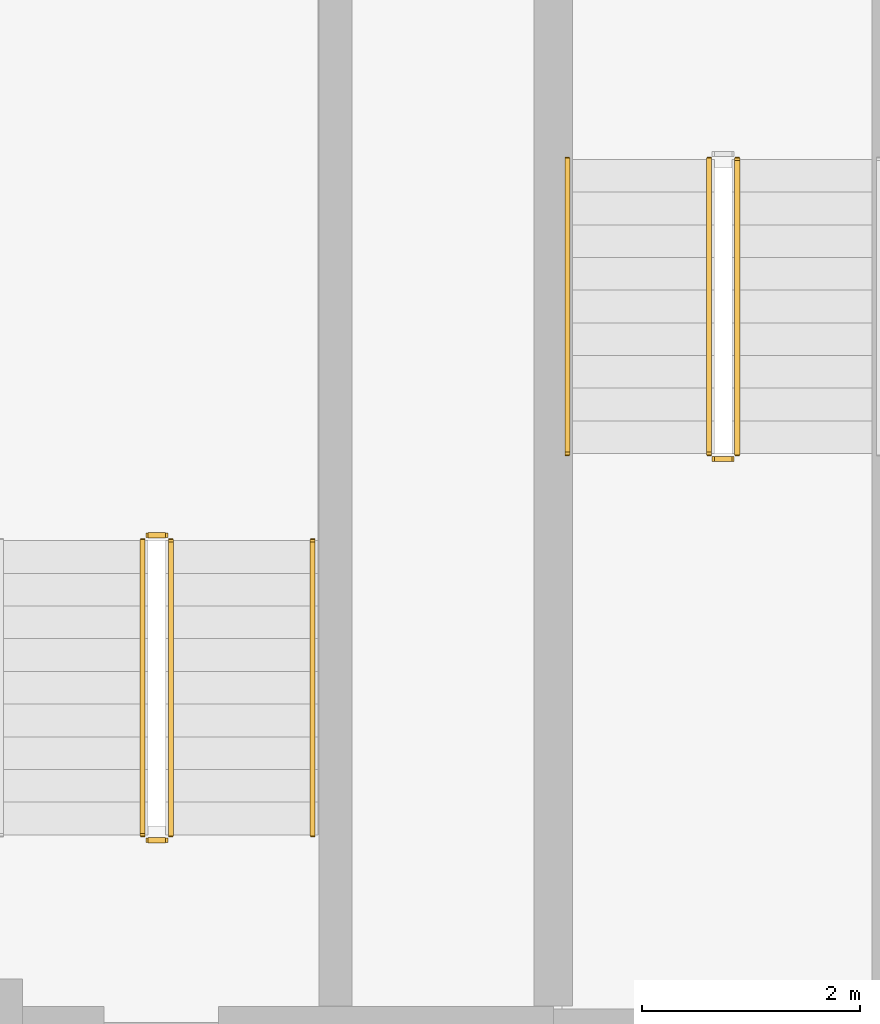
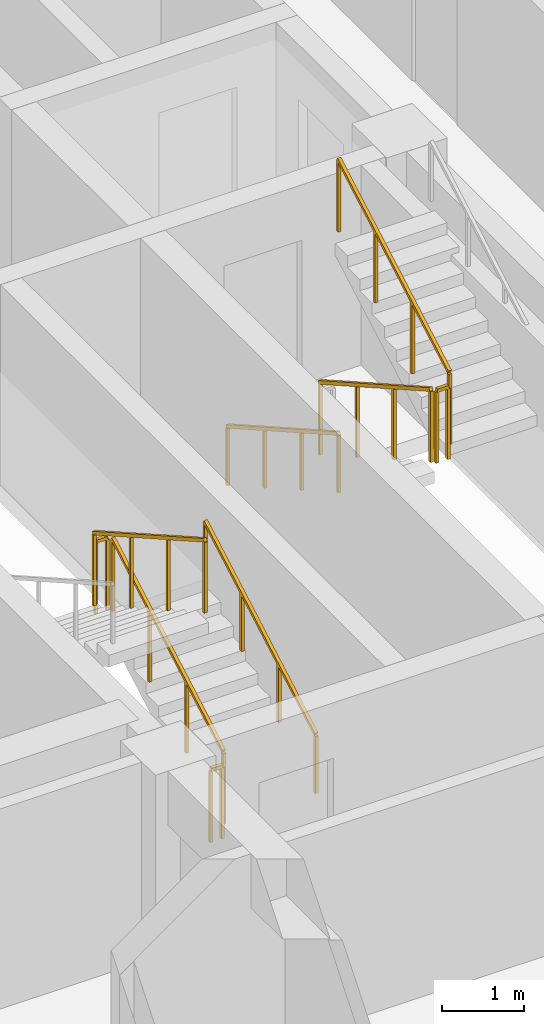
# One storey, part 8 of 13: 9 railings.
"""IFC4 building model written with IfcOpenShell, lengths in metres."""

import ifcopenshell
import ifcopenshell.guid

model = None  # the IFC model being written
_history = None  # IfcOwnerHistory: only IFC2X3 demands one
_inside = {}  # id of a spatial element -> (the spatial element, [elements in it])
_under = {}  # id of a project, library or spatial element -> (it, [spatial elements below it])
_declared = {}  # id of a project -> (the project, [libraries it declares])
_typed = {}  # id of a type object -> (the type object, [elements of that type])
_made_of = {}  # id of a material, layer set ... -> (it, [elements and type objects made of it])


def new_model(schema):
    """Start an empty IFC model of exactly this schema.

    Asked for "IFC4X3", IfcOpenShell would pick the latest addendum, in which some entities
    have other attributes; the version numbers below select the first issue.
    IFC2X3 requires an IfcOwnerHistory on every rooted entity: one is made here for all.
    """
    global model, _history
    if schema == "IFC4X3":
        model = ifcopenshell.file(schema_version=(4, 3, 0, 0))
    else:
        model = ifcopenshell.file(schema=schema)
    _inside.clear()
    _under.clear()
    _declared.clear()
    _typed.clear()
    _made_of.clear()
    _history = None
    if model.schema == "IFC2X3":
        org = make("IfcOrganization", Name="unknown")
        user = make(
            "IfcPersonAndOrganization",
            ThePerson=make("IfcPerson", FamilyName="unknown"),
            TheOrganization=org,
        )
        app = make(
            "IfcApplication",
            ApplicationDeveloper=org,
            Version="unknown",
            ApplicationFullName="unknown",
            ApplicationIdentifier="unknown",
        )
        _history = make(
            "IfcOwnerHistory",
            OwningUser=user,
            OwningApplication=app,
            ChangeAction="ADDED",
            CreationDate=0,
        )
    return model


def make(cls, **values):
    """One entity of the class cls with the attributes given. An attribute that is None is left unset."""
    return model.create_entity(
        cls, **{name: value for name, value in values.items() if value is not None}
    )


def rooted(cls, **values):
    """An entity with a GlobalId (a new one), such as an element, a storey or a relation."""
    return make(cls, GlobalId=ifcopenshell.guid.new(), OwnerHistory=_history, **values)


def si_unit(unit_type, name, prefix=None):
    """IfcSIUnit, for example si_unit("LENGTHUNIT", "METRE", prefix="MILLI")."""
    return make("IfcSIUnit", UnitType=unit_type, Prefix=prefix, Name=name)


def assignment(units):
    """IfcUnitAssignment: the units of a project."""
    return None if units is None else make("IfcUnitAssignment", Units=units)


def point(xyz):
    """IfcCartesianPoint."""
    return None if xyz is None else make("IfcCartesianPoint", Coordinates=xyz)


def direction(xyz):
    """IfcDirection."""
    return None if xyz is None else make("IfcDirection", DirectionRatios=xyz)


def frame(location, z_axis=None, x_axis=None):
    """IfcAxis2Placement3D, a coordinate frame: its origin and axes. An axis left out is left unset."""
    return make(
        "IfcAxis2Placement3D",
        Location=point(location),
        Axis=direction(z_axis),
        RefDirection=direction(x_axis),
    )


def frame_2d(location, x_axis=None):
    """IfcAxis2Placement2D, a coordinate frame in the plane: its origin and x axis."""
    return make(
        "IfcAxis2Placement2D", Location=point(location), RefDirection=direction(x_axis)
    )


def origin():
    """The frame at (0, 0, 0) with its axes left unset."""
    return frame((0.0, 0.0, 0.0))


def origin_2d():
    """The frame at (0, 0) in the plane with its x axis left unset."""
    return frame_2d((0.0, 0.0))


def place(relative_to, where):
    """IfcLocalPlacement: puts the frame where relative to a parent placement (None: the world)."""
    return make(
        "IfcLocalPlacement", PlacementRelTo=relative_to, RelativePlacement=where
    )


def context(
    kind, dimensions, precision=None, world=None, true_north=None, identifier=None
):
    """IfcGeometricRepresentationContext, for example the 3D "Model" context."""
    return make(
        "IfcGeometricRepresentationContext",
        ContextIdentifier=identifier,
        ContextType=kind,
        CoordinateSpaceDimension=dimensions,
        Precision=precision,
        WorldCoordinateSystem=world,
        TrueNorth=true_north,
    )


def subcontext(parent, identifier, kind, view, scale=None):
    """IfcGeometricRepresentationSubContext, for example "Body" below "Model"."""
    return make(
        "IfcGeometricRepresentationSubContext",
        ContextIdentifier=identifier,
        ContextType=kind,
        ParentContext=parent,
        TargetScale=scale,
        TargetView=view,
    )


def project(units=None, contexts=None):
    """IfcProject with its units and contexts."""
    return rooted(
        "IfcProject",
        Name="project",
        RepresentationContexts=contexts,
        UnitsInContext=assignment(units),
    )


def spatial(cls, under=None, at=None, **own):
    """A site, building, storey or space (cls), placed at a placement, below another one or the project."""
    s = rooted(cls, ObjectPlacement=at, **own)
    if under is not None:
        _under.setdefault(under.id(), (under, []))[1].append(s)
    return s


def profile(cls, at=None, kind="AREA", **sizes):
    """A parametric profile (cls). Its sizes go by their IFC names, for example OverallWidth=200.0."""
    return make(cls, ProfileType=kind, Position=at, **sizes)


def rectangle(**sizes):
    """IfcRectangleProfileDef."""
    return profile("IfcRectangleProfileDef", **sizes)


def extrude(swept, where, along, depth):
    """IfcExtrudedAreaSolid: the profile swept, set in the frame where, extruded along a direction by depth."""
    return make(
        "IfcExtrudedAreaSolid",
        SweptArea=swept,
        Position=where,
        ExtrudedDirection=direction(along),
        Depth=depth,
    )


def shape(context_of_items, identifier, shape_type, items):
    """IfcShapeRepresentation: the items that make up one representation, for example the "Body"."""
    return make(
        "IfcShapeRepresentation",
        ContextOfItems=context_of_items,
        RepresentationIdentifier=identifier,
        RepresentationType=shape_type,
        Items=items,
    )


def material(Name=None, Category=None):
    """IfcMaterial."""
    return make("IfcMaterial", Name=Name, Category=Category)


def made_of(thing, what):
    """Note that an element or type object is made of a material, layer set ...; save() writes the relation."""
    if what is not None:
        _made_of.setdefault(what.id(), (what, []))[1].append(thing)
    return thing


def type_object(cls, material=None, **own):
    """A type object (cls), such as IfcWallType, which elements share."""
    return made_of(rooted(cls, **own), material)


def element(
    cls,
    number,
    at=None,
    inside=None,
    cuts=None,
    type_object=None,
    material=None,
    context=None,
    identifier="Body",
    shape_type=None,
    held_by="IfcProductDefinitionShape",
    body=None,
    shapes=None,
    **own,
):
    """One element of the class cls, such as IfcWall. Its Tag is "e" and its number.

    at: its placement. inside: the storey or other place that contains it. cuts: it is an
    opening in that element (IfcRelVoidsElement). A single representation is given by context,
    identifier, shape_type and body (its items); several are given by shapes. held_by: the class
    of the entity that holds the representations. save() writes the other relations.
    """
    e = rooted(cls, Tag="e%d" % number, ObjectPlacement=at, **own)
    if body is not None:
        shapes = [shape(context, identifier, shape_type, body)]
    if shapes is not None:
        e.Representation = make(held_by, Representations=shapes)
    if inside is not None:
        _inside.setdefault(inside.id(), (inside, []))[1].append(e)
    if cuts is not None:
        rooted(
            "IfcRelVoidsElement", RelatingBuildingElement=cuts, RelatedOpeningElement=e
        )
    if type_object is not None:
        _typed.setdefault(type_object.id(), (type_object, []))[1].append(e)
    return made_of(e, material)


def aggregate(whole, parts):
    """IfcRelAggregates: a whole, such as a stair, and the parts it consists of."""
    return rooted("IfcRelAggregates", RelatingObject=whole, RelatedObjects=parts)


def save(model, path):
    """Write the relations noted so far, then the file.

    IfcRelAggregates (storeys below a building ...), IfcRelContainedInSpatialStructure (elements
    in a storey), IfcRelDefinesByType, IfcRelAssociatesMaterial and IfcRelDeclares: one each for
    every whole, place, type object, material and project.
    """
    for whole, parts in _under.values():
        aggregate(whole, parts)
    for where, things in _inside.values():
        rooted(
            "IfcRelContainedInSpatialStructure",
            RelatedElements=things,
            RelatingStructure=where,
        )
    for kind, things in _typed.values():
        rooted("IfcRelDefinesByType", RelatedObjects=things, RelatingType=kind)
    for what, things in _made_of.values():
        rooted("IfcRelAssociatesMaterial", RelatedObjects=things, RelatingMaterial=what)
    for by, libraries in _declared.values():
        rooted("IfcRelDeclares", RelatingContext=by, RelatedDefinitions=libraries)
    model.write(path)


model = new_model("IFC4")

# Units and contexts
model_context = context("Model", 3, precision=1e-05, world=origin(), true_north=direction((0.0, 1.0)))
body_context = subcontext(model_context, "Body", "Model", "MODEL_VIEW")
ifc_project = project(units=[si_unit("LENGTHUNIT", "METRE"), si_unit("AREAUNIT", "SQUARE_METRE"), si_unit("VOLUMEUNIT", "CUBIC_METRE"), si_unit("PLANEANGLEUNIT", "RADIAN"), si_unit("MASSUNIT", "GRAM", prefix="KILO")], contexts=[model_context])

# Site, building, storey
site_placement = place(None, origin())
site = spatial("IfcSite", under=ifc_project, at=site_placement, CompositionType="ELEMENT")
building_placement = place(site_placement, origin())
building = spatial("IfcBuilding", under=site, at=building_placement, Name="Zulmaris Gate Convention Tower", CompositionType="ELEMENT")
storey_placement = place(building_placement, frame((0.0, 0.0, 218.659912109375)))
storey = spatial("IfcBuildingStorey", under=building, at=storey_placement, Name="L57", CompositionType="ELEMENT", Elevation=218.659912109375)

# Railings
ifc_material_1 = material(Name="Painted Galvanised Steel", Category="steel")
railing_type_1 = type_object("IfcRailingType", Name="RL-STG-1150", PredefinedType="GUARDRAIL", material=ifc_material_1)
railing_1_placement = place(storey_placement, frame((-13.27001953125, -2.0, 0.169921875)))
element("IfcRailing", 1, at=railing_1_placement, inside=storey, type_object=railing_type_1, Name="L57 ST-1 stair guard 1", PredefinedType="GUARDRAIL", context=body_context, shape_type="SweptSolid", body=[
    extrude(rectangle(XDim=0.048095703125, YDim=0.048095703125, at=origin_2d()), frame((0.0, 0.0, 1.076171875), z_axis=(0.0, -0.869980566543, 0.493086010588), x_axis=(1.0, 0.0, 0.0)), (0.0, 0.0, 1.0), 3.103515625),
    extrude(rectangle(XDim=0.0419921875, YDim=0.0419921875, at=origin_2d()), origin(), (0.0, 0.0, 1.0), 1.052001953125),
    extrude(rectangle(XDim=0.0419921875, YDim=0.0419921875, at=origin_2d()), frame((0.0, -0.89990234375, 0.510009765625)), (0.0, 0.0, 1.0), 1.052001953125),
    extrude(rectangle(XDim=0.0419921875, YDim=0.0419921875, at=origin_2d()), frame((0.0, -1.800048828125, 1.020263671875)), (0.0, 0.0, 1.0), 1.052001953125),
    extrude(rectangle(XDim=0.0419921875, YDim=0.0419921875, at=origin_2d()), frame((0.0, -2.699951171875, 1.5302734375)), (0.0, 0.0, 1.0), 1.052001953125),
])
railing_2_placement = place(storey_placement, frame((-13.219970703125, -4.75, 1.7001953125)))
element("IfcRailing", 2, at=railing_2_placement, inside=storey, type_object=railing_type_1, Name="L57 ST-1 stair guard 2", PredefinedType="GUARDRAIL", context=body_context, shape_type="SweptSolid", body=[
    extrude(rectangle(XDim=0.048095703125, YDim=0.048095703125, at=origin_2d()), frame((0.0, 0.0, 1.076171875), z_axis=(1.0, 0.0, 0.0), x_axis=(0.0, 1.0, 0.0)), (0.0, 0.0, 1.0), 0.159912109375),
    extrude(rectangle(XDim=0.0419921875, YDim=0.0419921875, at=origin_2d()), origin(), (0.0, 0.0, 1.0), 1.052001953125),
    extrude(rectangle(XDim=0.0419921875, YDim=0.0419921875, at=origin_2d()), frame((0.159912109375, 0.0, 0.0)), (0.0, 0.0, 1.0), 1.052001953125),
])
railing_3_placement = place(storey_placement, frame((-13.010009765625, -4.699951171875, 1.8701171875)))
element("IfcRailing", 3, at=railing_3_placement, inside=storey, type_object=railing_type_1, Name="L57 ST-1 stair guard 3", PredefinedType="GUARDRAIL", context=body_context, shape_type="SweptSolid", body=[
    extrude(rectangle(XDim=0.048095703125, YDim=0.048095703125, at=origin_2d()), frame((0.0, 0.0, 1.076171875), z_axis=(0.0, 0.870014312096, 0.49302646658), x_axis=(-1.0, 0.0, 0.0)), (0.0, 0.0, 1.0), 3.103271484375),
    extrude(rectangle(XDim=0.0419921875, YDim=0.0419921875, at=origin_2d()), origin(), (0.0, 0.0, 1.0), 1.052001953125),
    extrude(rectangle(XDim=0.0419921875, YDim=0.0419921875, at=origin_2d()), frame((0.0, 0.89990234375, 0.510009765625)), (0.0, 0.0, 1.0), 1.052001953125),
    extrude(rectangle(XDim=0.0419921875, YDim=0.0419921875, at=origin_2d()), frame((0.0, 1.800048828125, 1.02001953125)), (0.0, 0.0, 1.0), 1.052001953125),
    extrude(rectangle(XDim=0.0419921875, YDim=0.0419921875, at=origin_2d()), frame((0.0, 2.699951171875, 1.530029296875)), (0.0, 0.0, 1.0), 1.052001953125),
])
railing_4_placement = place(storey_placement, frame((-18.2099609375, -8.199951171875, 0.169921875)))
element("IfcRailing", 4, at=railing_4_placement, inside=storey, type_object=railing_type_1, Name="L57 ST-3 stair guard 1", PredefinedType="GUARDRAIL", context=body_context, shape_type="SweptSolid", body=[
    extrude(rectangle(XDim=0.048095703125, YDim=0.048095703125, at=origin_2d()), frame((0.0, 0.0, 1.076171875), z_axis=(0.0, 0.869980566543, 0.493086010588), x_axis=(-1.0, 0.0, 0.0)), (0.0, 0.0, 1.0), 3.103515625),
    extrude(rectangle(XDim=0.0419921875, YDim=0.0419921875, at=origin_2d()), origin(), (0.0, 0.0, 1.0), 1.052001953125),
    extrude(rectangle(XDim=0.0419921875, YDim=0.0419921875, at=origin_2d()), frame((0.0, 0.89990234375, 0.510009765625)), (0.0, 0.0, 1.0), 1.052001953125),
    extrude(rectangle(XDim=0.0419921875, YDim=0.0419921875, at=origin_2d()), frame((0.0, 1.800048828125, 1.020263671875)), (0.0, 0.0, 1.0), 1.052001953125),
    extrude(rectangle(XDim=0.0419921875, YDim=0.0419921875, at=origin_2d()), frame((0.0, 2.699951171875, 1.5302734375)), (0.0, 0.0, 1.0), 1.052001953125),
])
railing_5_placement = place(storey_placement, frame((-18.260009765625, -5.449951171875, 1.7001953125)))
element("IfcRailing", 5, at=railing_5_placement, inside=storey, type_object=railing_type_1, Name="L57 ST-3 stair guard 2", PredefinedType="GUARDRAIL", context=body_context, shape_type="SweptSolid", body=[
    extrude(rectangle(XDim=0.048095703125, YDim=0.048095703125, at=origin_2d()), frame((0.0, 0.0, 1.076171875), z_axis=(-1.0, 0.0, 0.0), x_axis=(0.0, -1.0, 0.0)), (0.0, 0.0, 1.0), 0.159912109375),
    extrude(rectangle(XDim=0.0419921875, YDim=0.0419921875, at=origin_2d()), origin(), (0.0, 0.0, 1.0), 1.052001953125),
    extrude(rectangle(XDim=0.0419921875, YDim=0.0419921875, at=origin_2d()), frame((-0.159912109375, 0.0, 0.0)), (0.0, 0.0, 1.0), 1.052001953125),
])
railing_6_placement = place(storey_placement, frame((-18.469970703125, -5.5, 1.8701171875)))
element("IfcRailing", 6, at=railing_6_placement, inside=storey, type_object=railing_type_1, Name="L57 ST-3 stair guard 3", PredefinedType="GUARDRAIL", context=body_context, shape_type="SweptSolid", body=[
    extrude(rectangle(XDim=0.048095703125, YDim=0.048095703125, at=origin_2d()), frame((0.0, 0.0, 1.076171875), z_axis=(0.0, -0.870014312096, 0.49302646658), x_axis=(1.0, 0.0, 0.0)), (0.0, 0.0, 1.0), 3.103271484375),
    extrude(rectangle(XDim=0.0419921875, YDim=0.0419921875, at=origin_2d()), origin(), (0.0, 0.0, 1.0), 1.052001953125),
    extrude(rectangle(XDim=0.0419921875, YDim=0.0419921875, at=origin_2d()), frame((0.0, -0.89990234375, 0.510009765625)), (0.0, 0.0, 1.0), 1.052001953125),
    extrude(rectangle(XDim=0.0419921875, YDim=0.0419921875, at=origin_2d()), frame((0.0, -1.800048828125, 1.02001953125)), (0.0, 0.0, 1.0), 1.052001953125),
    extrude(rectangle(XDim=0.0419921875, YDim=0.0419921875, at=origin_2d()), frame((0.0, -2.699951171875, 1.530029296875)), (0.0, 0.0, 1.0), 1.052001953125),
])
railing_7_placement = place(storey_placement, frame((-18.260009765625, -8.25, 0.0)))
element("IfcRailing", 7, at=railing_7_placement, inside=storey, type_object=railing_type_1, Name="L57 ST-3 stair guard 4", PredefinedType="GUARDRAIL", context=body_context, shape_type="SweptSolid", body=[
    extrude(rectangle(XDim=0.048095703125, YDim=0.048095703125, at=origin_2d()), frame((0.0, 0.0, 1.076171875), z_axis=(-1.0, 0.0, 0.0), x_axis=(0.0, -1.0, 0.0)), (0.0, 0.0, 1.0), 0.159912109375),
    extrude(rectangle(XDim=0.0419921875, YDim=0.0419921875, at=origin_2d()), origin(), (0.0, 0.0, 1.0), 1.052001953125),
    extrude(rectangle(XDim=0.0419921875, YDim=0.0419921875, at=origin_2d()), frame((-0.159912109375, 0.0, 0.0)), (0.0, 0.0, 1.0), 1.052001953125),
])
ifc_material_2 = material(Name="Brushed Stainless Steel", Category="steel")
railing_type_2 = type_object("IfcRailingType", Name="RL-STH-900", PredefinedType="HANDRAIL", material=ifc_material_2)
railing_8_placement = place(storey_placement, frame((-14.570068359375, -2.0, 0.169921875)))
element("IfcRailing", 8, at=railing_8_placement, inside=storey, type_object=railing_type_2, Name="L57 ST-1 stair handrail 1", PredefinedType="HANDRAIL", context=body_context, shape_type="SweptSolid", body=[
    extrude(rectangle(XDim=0.048095703125, YDim=0.048095703125, at=origin_2d()), frame((0.0, 0.0, 0.8759765625), z_axis=(0.0, -0.869980566543, 0.493086010588), x_axis=(1.0, 0.0, 0.0)), (0.0, 0.0, 1.0), 3.103515625),
    extrude(rectangle(XDim=0.0419921875, YDim=0.0419921875, at=origin_2d()), origin(), (0.0, 0.0, 1.0), 0.851806640625),
    extrude(rectangle(XDim=0.0419921875, YDim=0.0419921875, at=origin_2d()), frame((0.0, -0.89990234375, 0.510009765625)), (0.0, 0.0, 1.0), 0.851806640625),
    extrude(rectangle(XDim=0.0419921875, YDim=0.0419921875, at=origin_2d()), frame((0.0, -1.800048828125, 1.020263671875)), (0.0, 0.0, 1.0), 0.851806640625),
    extrude(rectangle(XDim=0.0419921875, YDim=0.0419921875, at=origin_2d()), frame((0.0, -2.699951171875, 1.5302734375)), (0.0, 0.0, 1.0), 0.851806640625),
])
railing_9_placement = place(storey_placement, frame((-16.909912109375, -8.199951171875, 0.169921875)))
element("IfcRailing", 9, at=railing_9_placement, inside=storey, type_object=railing_type_2, Name="L57 ST-3 stair handrail 1", PredefinedType="HANDRAIL", context=body_context, shape_type="SweptSolid", body=[
    extrude(rectangle(XDim=0.048095703125, YDim=0.048095703125, at=origin_2d()), frame((0.0, 0.0, 0.8759765625), z_axis=(0.0, 0.869980566543, 0.493086010588), x_axis=(-1.0, 0.0, 0.0)), (0.0, 0.0, 1.0), 3.103515625),
    extrude(rectangle(XDim=0.0419921875, YDim=0.0419921875, at=origin_2d()), origin(), (0.0, 0.0, 1.0), 0.851806640625),
    extrude(rectangle(XDim=0.0419921875, YDim=0.0419921875, at=origin_2d()), frame((0.0, 0.89990234375, 0.510009765625)), (0.0, 0.0, 1.0), 0.851806640625),
    extrude(rectangle(XDim=0.0419921875, YDim=0.0419921875, at=origin_2d()), frame((0.0, 1.800048828125, 1.020263671875)), (0.0, 0.0, 1.0), 0.851806640625),
    extrude(rectangle(XDim=0.0419921875, YDim=0.0419921875, at=origin_2d()), frame((0.0, 2.699951171875, 1.5302734375)), (0.0, 0.0, 1.0), 0.851806640625),
])

save(model, "model.ifc")
